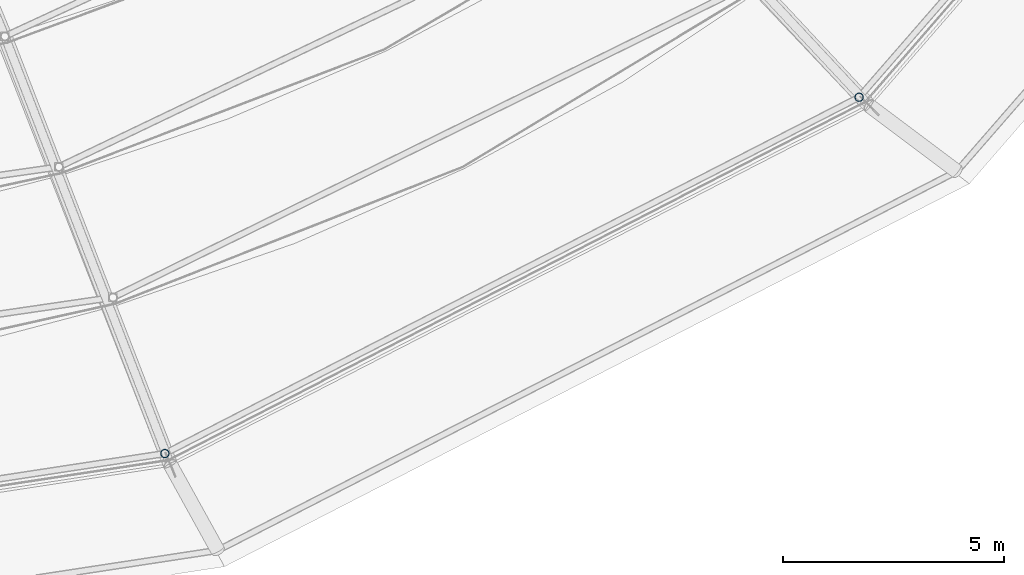
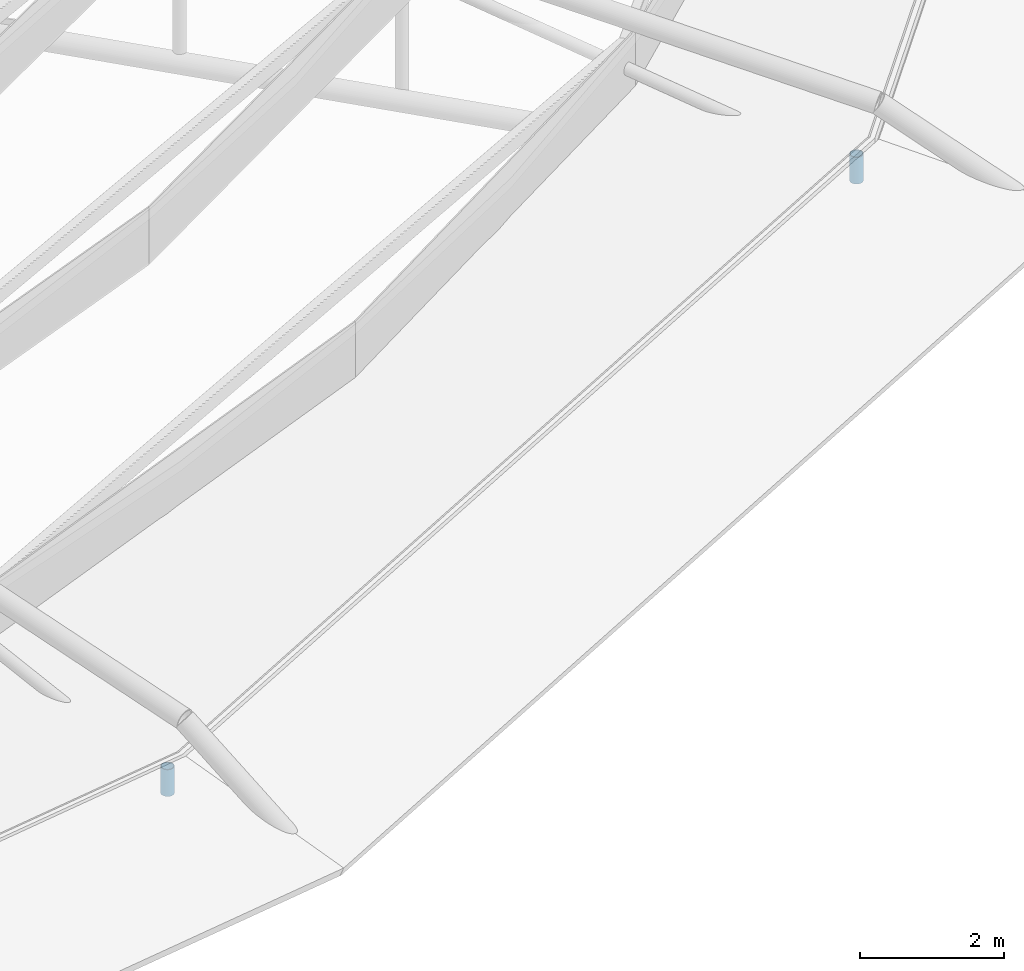
# One storey, part 97 of 134: 2 members.
"""IFC4 building model written with IfcOpenShell, lengths in metres."""

from ifc_helpers import new_model, si_unit, derived_unit, direction, frame, origin, origin_2d, place, context, subcontext, project, spatial, hollow_circle, extrude, material, material_profile, profile_set, type_object, element, save


model = new_model("IFC4")

# Units and contexts
model_context = context("Model", 3, precision=1e-05, world=origin(), true_north=direction((0.0, 1.0)))
body_context = subcontext(model_context, "Body", "Model", "MODEL_VIEW")
ifc_project = project(units=[si_unit("LENGTHUNIT", "METRE"), si_unit("AREAUNIT", "SQUARE_METRE"), si_unit("VOLUMEUNIT", "CUBIC_METRE"), si_unit("PLANEANGLEUNIT", "RADIAN"), si_unit("MASSUNIT", "GRAM", prefix="KILO"), derived_unit("THERMALTRANSMITTANCEUNIT", [(si_unit("MASSUNIT", "GRAM", prefix="KILO"), 1), (si_unit("TIMEUNIT", "SECOND"), -3), (si_unit("THERMODYNAMICTEMPERATUREUNIT", "KELVIN"), -1)])], contexts=[model_context])

# Site, building, storey
site_placement = place(None, origin())
site = spatial("IfcSite", under=ifc_project, at=site_placement, CompositionType="ELEMENT")
building_placement = place(site_placement, origin())
building = spatial("IfcBuilding", under=site, at=building_placement, Name="Kharveza Railside Sports Centre", CompositionType="ELEMENT")
storey_placement = place(building_placement, frame((0.0, 0.0, 12.89990234375)))
storey = spatial("IfcBuildingStorey", under=building, at=storey_placement, Name="L03", CompositionType="ELEMENT", Elevation=12.89990234375)

# Members
ifc_material = material(Name="Steel S355J2", Category="steel")
ifc_material_profile = material_profile(ifc_material, hollow_circle(Radius=0.096923828125, WallThickness=0.010009765625, at=origin_2d()), Name="CHS 193.7x10.0")
ifc_profile_set = profile_set([ifc_material_profile], Name="Steel S355J2")
member_type = type_object("IfcMemberType", Name="MB-ST02", PredefinedType="STRUT", material=ifc_profile_set)
for number, where, z_axis, x_axis, name in (
    (1, (73.148681640625, 16.0068359375, -0.0498046875), (0.0, 0.0, 1.0), (1.0, 0.0, 0.0), "MB-LIDPOST-S1-14"),
    (2, (88.87353515625, 24.07666015625, -0.0498046875), (0.0, 0.0, 1.0), (1.0, 0.0, 0.0), "MB-LIDPOST-S1-15"),
):
    element("IfcMember", number, at=place(storey_placement, frame(where, z_axis=z_axis, x_axis=x_axis)), inside=storey, type_object=member_type, Name=name, PredefinedType="STRUT", context=body_context, shape_type="SweptSolid", body=[
        extrude(hollow_circle(Radius=0.096923828125, WallThickness=0.010009765625, at=origin_2d()), origin(), (0.0, 0.0, 1.0), 0.454833984375),
    ])

save(model, "model.ifc")
